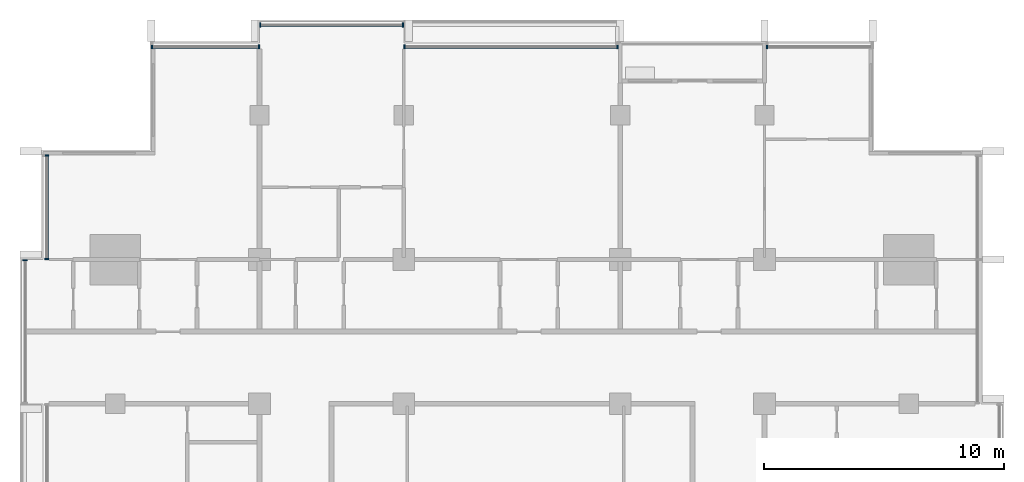
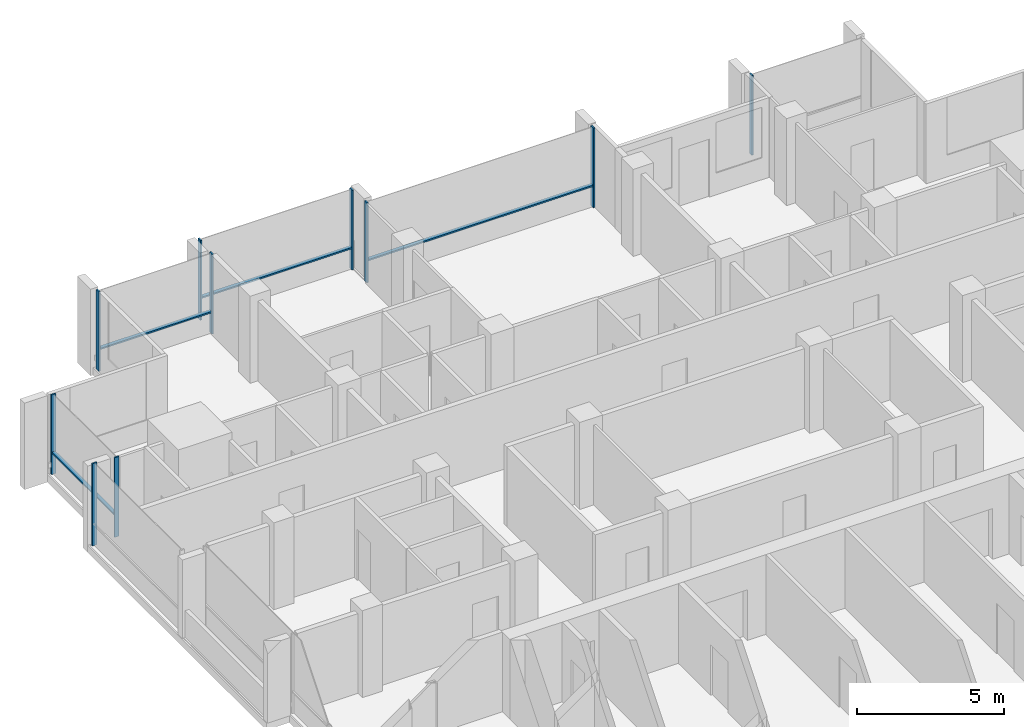
# One storey, part 4 of 16: 14 members, 6 elements without a shape of their own.
"""IFC4 building model written with IfcOpenShell, lengths in metres."""

from ifc_helpers import new_model, si_unit, direction, frame, origin, origin_2d, place, context, subcontext, project, spatial, rectangle, extrude, material, material_profile, profile_set, type_object, element, aggregate, save


model = new_model("IFC4")

# Units and contexts
model_context = context("Model", 3, precision=1e-05, world=origin(), true_north=direction((0.0, 1.0)))
body_context = subcontext(model_context, "Body", "Model", "MODEL_VIEW")
ifc_project = project(units=[si_unit("LENGTHUNIT", "METRE"), si_unit("AREAUNIT", "SQUARE_METRE"), si_unit("VOLUMEUNIT", "CUBIC_METRE"), si_unit("PLANEANGLEUNIT", "RADIAN"), si_unit("MASSUNIT", "GRAM", prefix="KILO")], contexts=[model_context])

# Site, building, storey
site_placement = place(None, origin())
site = spatial("IfcSite", under=ifc_project, at=site_placement, CompositionType="ELEMENT")
building_placement = place(site_placement, origin())
building = spatial("IfcBuilding", under=site, at=building_placement, Name="Finial Court Residences", CompositionType="ELEMENT")
storey_placement = place(building_placement, frame((0.0, 0.0, 219.5)))
storey = spatial("IfcBuildingStorey", under=building, at=storey_placement, Name="L55", CompositionType="ELEMENT", Elevation=219.5)

# Curtain wall, members
ifc_material = material(Name="Bronze anodised aluminium", Category="aluminium")
curtain_wall_type = type_object("IfcCurtainWallType", Name="Unitised curtain wall, upper zones", PredefinedType="NOTDEFINED", material=ifc_material)
curtain_wall_1_placement = place(storey_placement, origin())
curtain_wall_1 = element("IfcCurtainWall", 1, at=curtain_wall_1_placement, inside=storey, type_object=curtain_wall_type, Name="E-L55-CW-N1", PredefinedType="NOTDEFINED")
ifc_material_profile_1 = material_profile(ifc_material, rectangle(XDim=0.175048828125, YDim=0.06005859375, at=origin_2d()), Name="CW2 mullion 60 x 175")
ifc_profile_set_1 = profile_set([ifc_material_profile_1], Name="Bronze anodised aluminium")
member_type_1 = type_object("IfcMemberType", Name="CW2 mullion 60 x 175", PredefinedType="MULLION", material=ifc_profile_set_1)
member_1_placement = place(storey_placement, frame((-14.969970703125, 16.35009765625, 0.0), z_axis=(0.0, 0.0, 1.0), x_axis=(0.0, 1.0, 0.0)))
member_1 = element("IfcMember", 2, at=member_1_placement, type_object=member_type_1, Name="CW2 mullion 1", PredefinedType="MULLION", context=body_context, shape_type="SweptSolid", body=[
    extrude(rectangle(XDim=0.175048828125, YDim=0.06005859375, at=origin_2d()), origin(), (0.0, 0.0, 1.0), 3.300048828125),
])
member_2_placement = place(storey_placement, frame((-10.530029296875, 16.35009765625, 0.0), z_axis=(0.0, 0.0, 1.0), x_axis=(0.0, 1.0, 0.0)))
member_2 = element("IfcMember", 3, at=member_2_placement, type_object=member_type_1, Name="CW2 mullion 2", PredefinedType="MULLION", context=body_context, shape_type="SweptSolid", body=[
    extrude(rectangle(XDim=0.175048828125, YDim=0.06005859375, at=origin_2d()), origin(), (0.0, 0.0, 1.0), 3.300048828125),
])

curtain_wall_2_placement = place(storey_placement, origin())
curtain_wall_2 = element("IfcCurtainWall", 4, at=curtain_wall_2_placement, inside=storey, type_object=curtain_wall_type, Name="E-L55-CW-N2", PredefinedType="NOTDEFINED")
member_3_placement = place(storey_placement, frame((-10.469970703125, 17.25, 0.0), z_axis=(0.0, 0.0, 1.0), x_axis=(0.0, 1.0, 0.0)))
member_3 = element("IfcMember", 5, at=member_3_placement, type_object=member_type_1, Name="CW2 mullion 1", PredefinedType="MULLION", context=body_context, shape_type="SweptSolid", body=[
    extrude(rectangle(XDim=0.175048828125, YDim=0.06005859375, at=origin_2d()), origin(), (0.0, 0.0, 1.0), 3.300048828125),
])
member_4_placement = place(storey_placement, frame((-4.530029296875, 17.25, 0.0), z_axis=(0.0, 0.0, 1.0), x_axis=(0.0, 1.0, 0.0)))
member_4 = element("IfcMember", 6, at=member_4_placement, type_object=member_type_1, Name="CW2 mullion 2", PredefinedType="MULLION", context=body_context, shape_type="SweptSolid", body=[
    extrude(rectangle(XDim=0.175048828125, YDim=0.06005859375, at=origin_2d()), origin(), (0.0, 0.0, 1.0), 3.300048828125),
])

curtain_wall_3_placement = place(storey_placement, origin())
curtain_wall_3 = element("IfcCurtainWall", 7, at=curtain_wall_3_placement, inside=storey, type_object=curtain_wall_type, Name="E-L55-CW-N3", PredefinedType="NOTDEFINED")
member_5_placement = place(storey_placement, frame((-4.469970703125, 16.35009765625, 0.0), z_axis=(0.0, 0.0, 1.0), x_axis=(0.0, 1.0, 0.0)))
member_5 = element("IfcMember", 8, at=member_5_placement, type_object=member_type_1, Name="CW2 mullion 1", PredefinedType="MULLION", context=body_context, shape_type="SweptSolid", body=[
    extrude(rectangle(XDim=0.175048828125, YDim=0.06005859375, at=origin_2d()), origin(), (0.0, 0.0, 1.0), 3.300048828125),
])
member_6_placement = place(storey_placement, frame((4.39501953125, 16.35009765625, 0.0), z_axis=(0.0, 0.0, 1.0), x_axis=(0.0, 1.0, 0.0)))
member_6 = element("IfcMember", 9, at=member_6_placement, type_object=member_type_1, Name="CW2 mullion 2", PredefinedType="MULLION", context=body_context, shape_type="SweptSolid", body=[
    extrude(rectangle(XDim=0.175048828125, YDim=0.06005859375, at=origin_2d()), origin(), (0.0, 0.0, 1.0), 3.300048828125),
])

# Curtain wall, member
curtain_wall_4_placement = place(storey_placement, origin())
curtain_wall_4 = element("IfcCurtainWall", 10, at=curtain_wall_4_placement, inside=storey, type_object=curtain_wall_type, Name="E-L55-CW-N4", PredefinedType="NOTDEFINED")
member_7_placement = place(storey_placement, frame((10.60498046875, 16.35009765625, 0.0), z_axis=(0.0, 0.0, 1.0), x_axis=(0.0, 1.0, 0.0)))
member_7 = element("IfcMember", 11, at=member_7_placement, type_object=member_type_1, Name="CW2 mullion 1", PredefinedType="MULLION", context=body_context, shape_type="SweptSolid", body=[
    extrude(rectangle(XDim=0.175048828125, YDim=0.06005859375, at=origin_2d()), origin(), (0.0, 0.0, 1.0), 3.300048828125),
])
aggregate(curtain_wall_4, [member_7])

curtain_wall_5_placement = place(storey_placement, origin())
curtain_wall_5 = element("IfcCurtainWall", 12, at=curtain_wall_5_placement, inside=storey, type_object=curtain_wall_type, Name="E-L55-CW-W11", PredefinedType="NOTDEFINED")
member_8_placement = place(storey_placement, frame((-20.25, 7.469970703125, 0.0), z_axis=(0.0, 0.0, 1.0), x_axis=(-1.0, 0.0, 0.0)))
member_8 = element("IfcMember", 13, at=member_8_placement, type_object=member_type_1, Name="CW2 mullion 2", PredefinedType="MULLION", context=body_context, shape_type="SweptSolid", body=[
    extrude(rectangle(XDim=0.175048828125, YDim=0.06005859375, at=origin_2d()), origin(), (0.0, 0.0, 1.0), 3.39990234375),
])
aggregate(curtain_wall_5, [member_8])

# Curtain wall, members
curtain_wall_6_placement = place(storey_placement, origin())
curtain_wall_6 = element("IfcCurtainWall", 14, at=curtain_wall_6_placement, inside=storey, type_object=curtain_wall_type, Name="E-L55-CW-W12", PredefinedType="NOTDEFINED")
member_9_placement = place(storey_placement, frame((-19.35009765625, 7.530029296875, 0.0), z_axis=(0.0, 0.0, 1.0), x_axis=(-1.0, 0.0, 0.0)))
member_9 = element("IfcMember", 15, at=member_9_placement, type_object=member_type_1, Name="CW2 mullion 1", PredefinedType="MULLION", context=body_context, shape_type="SweptSolid", body=[
    extrude(rectangle(XDim=0.175048828125, YDim=0.06005859375, at=origin_2d()), origin(), (0.0, 0.0, 1.0), 3.300048828125),
])
member_10_placement = place(storey_placement, frame((-19.35009765625, 11.820068359375, 0.0), z_axis=(0.0, 0.0, 1.0), x_axis=(-1.0, 0.0, 0.0)))
member_10 = element("IfcMember", 16, at=member_10_placement, type_object=member_type_1, Name="CW2 mullion 2", PredefinedType="MULLION", context=body_context, shape_type="SweptSolid", body=[
    extrude(rectangle(XDim=0.175048828125, YDim=0.06005859375, at=origin_2d()), origin(), (0.0, 0.0, 1.0), 3.300048828125),
])

# Member
ifc_material_profile_2 = material_profile(ifc_material, rectangle(XDim=0.139892578125, YDim=0.06005859375, at=origin_2d()), Name="CW2 transom 60 x 140")
ifc_profile_set_2 = profile_set([ifc_material_profile_2], Name="Bronze anodised aluminium")
member_type_2 = type_object("IfcMemberType", Name="CW2 transom 60 x 140", PredefinedType="USERDEFINED", material=ifc_profile_set_2)
member_11_placement = place(storey_placement, frame((-14.93994140625, 16.35009765625, 0.89990234375), z_axis=(1.0, 0.0, 0.0), x_axis=(0.0, 1.0, 0.0)))
member_11 = element("IfcMember", 17, at=member_11_placement, type_object=member_type_2, Name="CW2 transom 1.1", ObjectType="TRANSOM", PredefinedType="USERDEFINED", context=body_context, shape_type="SweptSolid", body=[
    extrude(rectangle(XDim=0.139892578125, YDim=0.06005859375, at=origin_2d()), origin(), (0.0, 0.0, 1.0), 4.3798828125),
])

aggregate(curtain_wall_1, [member_1, member_2, member_11])

member_12_placement = place(storey_placement, frame((-10.43994140625, 17.25, 0.89990234375), z_axis=(1.0, 0.0, 0.0), x_axis=(0.0, 1.0, 0.0)))
member_12 = element("IfcMember", 18, at=member_12_placement, type_object=member_type_2, Name="CW2 transom 1.1", ObjectType="TRANSOM", PredefinedType="USERDEFINED", context=body_context, shape_type="SweptSolid", body=[
    extrude(rectangle(XDim=0.139892578125, YDim=0.06005859375, at=origin_2d()), origin(), (0.0, 0.0, 1.0), 5.8798828125),
])

aggregate(curtain_wall_2, [member_3, member_4, member_12])

member_13_placement = place(storey_placement, frame((-4.43994140625, 16.35009765625, 0.89990234375), z_axis=(1.0, 0.0, 0.0), x_axis=(0.0, 1.0, 0.0)))
member_13 = element("IfcMember", 19, at=member_13_placement, type_object=member_type_2, Name="CW2 transom 1.1", ObjectType="TRANSOM", PredefinedType="USERDEFINED", context=body_context, shape_type="SweptSolid", body=[
    extrude(rectangle(XDim=0.139892578125, YDim=0.06005859375, at=origin_2d()), origin(), (0.0, 0.0, 1.0), 8.804931640625),
])

aggregate(curtain_wall_3, [member_5, member_6, member_13])

member_14_placement = place(storey_placement, frame((-19.35009765625, 7.56005859375, 0.89990234375), z_axis=(0.0, 1.0, 0.0), x_axis=(-1.0, 0.0, 0.0)))
member_14 = element("IfcMember", 20, at=member_14_placement, type_object=member_type_2, Name="CW2 transom 1.1", ObjectType="TRANSOM", PredefinedType="USERDEFINED", context=body_context, shape_type="SweptSolid", body=[
    extrude(rectangle(XDim=0.139892578125, YDim=0.06005859375, at=origin_2d()), origin(), (0.0, 0.0, 1.0), 4.22998046875),
])

aggregate(curtain_wall_6, [member_9, member_10, member_14])

save(model, "model.ifc")
